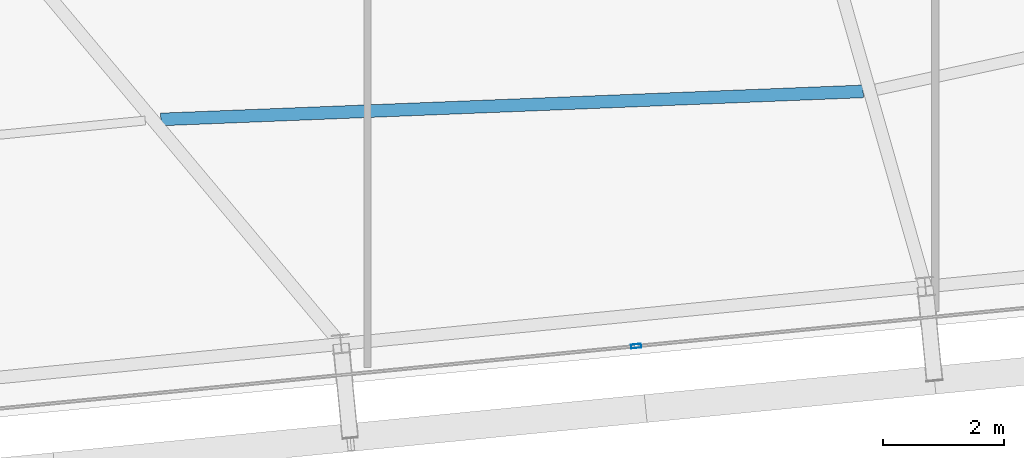
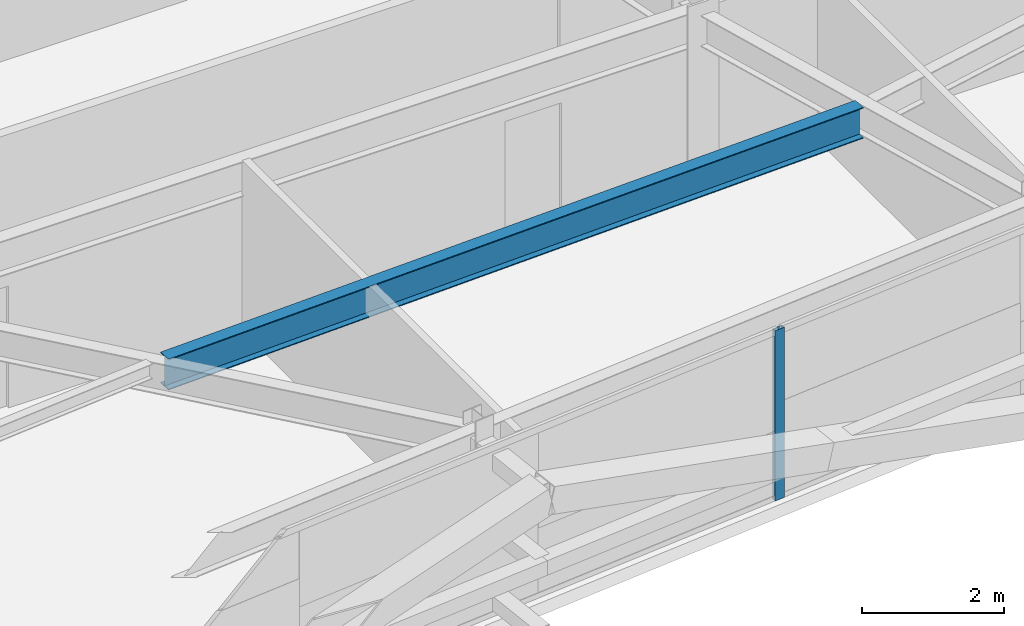
# One storey, part 11 of 47: 1 beam, 1 member, 1 element without a shape of its own.
"""IFC4 building model written with IfcOpenShell, lengths in metres."""

from ifc_helpers import new_model, si_unit, direction, frame, origin, origin_2d, place, context, subcontext, project, spatial, hollow_rectangle, i_section, extrude, source, transform, mapped, material, layer, layer_set, material_profile, profile_set, type_object, element, aggregate, save


model = new_model("IFC4")

# Units and contexts
model_context = context("Model", 3, precision=1e-05, world=origin(), true_north=direction((0.0, 1.0)))
body_context = subcontext(model_context, "Body", "Model", "MODEL_VIEW")
ifc_project = project(units=[si_unit("LENGTHUNIT", "METRE"), si_unit("AREAUNIT", "SQUARE_METRE"), si_unit("VOLUMEUNIT", "CUBIC_METRE"), si_unit("PLANEANGLEUNIT", "RADIAN"), si_unit("MASSUNIT", "GRAM", prefix="KILO")], contexts=[model_context])

# Site, building, storey
site_placement = place(None, origin())
site = spatial("IfcSite", under=ifc_project, at=site_placement, CompositionType="ELEMENT")
building_placement = place(site_placement, origin())
building = spatial("IfcBuilding", under=site, at=building_placement, Name="Taldren Reach Tower", CompositionType="ELEMENT")
storey_placement = place(building_placement, frame((0.0, 0.0, 90.300048828125)))
storey = spatial("IfcBuildingStorey", under=building, at=storey_placement, Name="L27", CompositionType="ELEMENT", Elevation=90.300048828125)

# Beam
ifc_material_1 = material(Name="Steel Gr 350 (350PLUS)", Category="steel")
ifc_material_profile_1 = material_profile(ifc_material_1, i_section(OverallWidth=0.208984375, OverallDepth=0.532958984375, WebThickness=0.01025390625, FlangeThickness=0.015625, at=origin_2d()), Name="530UB92.4")
ifc_profile_set_1 = profile_set([ifc_material_profile_1], Name="Steel Gr 350 (350PLUS)")
beam_type = type_object("IfcBeamType", Name="BM-UB530A", PredefinedType="BEAM", material=ifc_profile_set_1)
shared_shape_1 = source(origin(), body_context, "Body", "SweptSolid", [
    extrude(i_section(OverallWidth=0.208984375, OverallDepth=0.532958984375, WebThickness=0.01025390625, FlangeThickness=0.015625, at=origin_2d()), origin(), (0.0, 0.0, 1.0), 11.586669921875),
])
beam_placement = place(storey_placement, frame((31.23291015625, 5.510009765625, 2.663330078125), z_axis=(0.999202506312, 0.039929329821, 0.0), x_axis=(-0.039929329821, 0.999202506312, 0.0)))
element("IfcBeam", 1, at=beam_placement, inside=storey, type_object=beam_type, Name="Secondary floor beam B2 J3 L27", PredefinedType="BEAM", context=body_context, shape_type="MappedRepresentation", body=[
    mapped(shared_shape_1, transform((0.0, 0.0, 0.0), scale=1.0)),
])

# Curtain wall, member
ifc_material_2 = material(Name="Aluminium and Low-E Glass Unitised System", Category="aluminium")
ifc_layer = layer(ifc_material_2, 0.159912109375)
ifc_layer_set = layer_set([ifc_layer], Name="Aluminium and Low-E Glass Unitised System")
curtain_wall_type = type_object("IfcCurtainWallType", Name="CW-SYS-3", PredefinedType="NOTDEFINED", material=ifc_layer_set)
curtain_wall_placement = place(storey_placement, origin())
curtain_wall = element("IfcCurtainWall", 2, at=curtain_wall_placement, inside=storey, type_object=curtain_wall_type, Name="Unitised curtain wall CW-L27-S", PredefinedType="NOTDEFINED")
ifc_material_3 = material(Name="Anodised Aluminium 6063-T6", Category="aluminium")
ifc_material_profile_2 = material_profile(ifc_material_3, hollow_rectangle(XDim=0.06494140625, YDim=0.1650390625, WallThickness=0.00390625, at=origin_2d()), Name="ALU-165x65x4RHS")
ifc_profile_set_2 = profile_set([ifc_material_profile_2], Name="Anodised Aluminium 6063-T6")
member_type = type_object("IfcMemberType", Name="CW-MUL-165", PredefinedType="MULLION", material=ifc_profile_set_2)
shared_shape_2 = source(origin(), body_context, "Body", "SweptSolid", [
    extrude(hollow_rectangle(XDim=0.06494140625, YDim=0.1650390625, WallThickness=0.00390625, at=origin_2d()), origin(), (0.0, 0.0, 1.0), 2.929931640625),
])
member_placement = place(storey_placement, frame((39.068359375, 1.77392578125, 0.0), z_axis=(0.0, 0.0, 1.0), x_axis=(-0.097582999046, 0.995227390247, 0.0)))
member = element("IfcMember", 3, at=member_placement, type_object=member_type, Name="CW-3 mullion 3", PredefinedType="MULLION", context=body_context, shape_type="MappedRepresentation", body=[
    mapped(shared_shape_2, transform((0.0, 0.0, 0.0), scale=1.0)),
])
aggregate(curtain_wall, [member])

save(model, "model.ifc")
